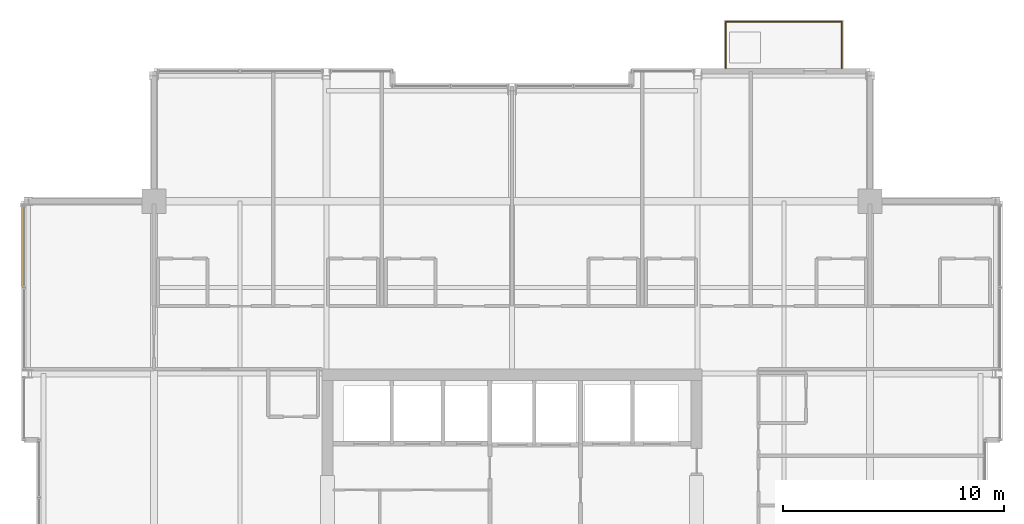
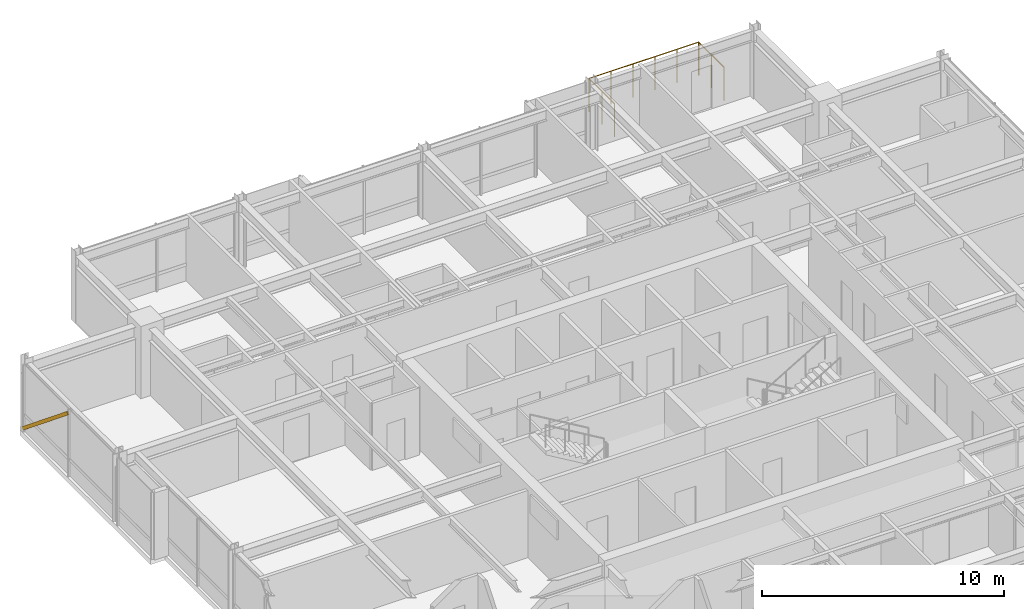
# One storey, part 33 of 33: 1 railing, 1 shading device.
"""IFC4 building model written with IfcOpenShell, lengths in metres."""

from ifc_helpers import new_model, si_unit, direction, frame, origin, origin_2d, place, context, subcontext, project, spatial, hollow_rectangle, circle, extrude, material, material_profile, profile_set, type_object, element, save


model = new_model("IFC4")

# Units and contexts
model_context = context("Model", 3, precision=1e-05, world=origin(), true_north=direction((0.0, 1.0)))
body_context = subcontext(model_context, "Body", "Model", "MODEL_VIEW")
ifc_project = project(units=[si_unit("LENGTHUNIT", "METRE"), si_unit("AREAUNIT", "SQUARE_METRE"), si_unit("VOLUMEUNIT", "CUBIC_METRE"), si_unit("PLANEANGLEUNIT", "RADIAN"), si_unit("MASSUNIT", "GRAM", prefix="KILO")], contexts=[model_context])

# Site, building, storey
site_placement = place(None, origin())
site = spatial("IfcSite", under=ifc_project, at=site_placement, CompositionType="ELEMENT")
building_placement = place(site_placement, origin())
building = spatial("IfcBuilding", under=site, at=building_placement, Name="Drelvath Grand Hotel", CompositionType="ELEMENT")
storey_placement = place(building_placement, frame((0.0, 0.0, 268.64990234375)))
storey = spatial("IfcBuildingStorey", under=building, at=storey_placement, Name="L70", CompositionType="ELEMENT", Elevation=268.64990234375)

# Shading device
ifc_material_1 = material(Name="Platinum-Mist Anodised Aluminium", Category="aluminium")
ifc_material_profile = material_profile(ifc_material_1, hollow_rectangle(XDim=0.06494140625, YDim=0.159912109375, WallThickness=0.00390625, at=origin_2d()), Name="HSS160X65X4")
ifc_profile_set = profile_set([ifc_material_profile], Name="Platinum-Mist Anodised Aluminium")
shading_device_type = type_object("IfcShadingDeviceType", Name="Diagonal Solar Fin Platinum Anodised HSS160X65X4", PredefinedType="USERDEFINED", material=ifc_profile_set)
shading_device_placement = place(storey_placement, frame((-22.159912109375, 43.021728515625, 0.18017578125), z_axis=(0.0, -0.77548496255, 0.631366037143), x_axis=(1.0, 0.0, 0.0)))
element("IfcShadingDevice", 1, at=shading_device_placement, inside=storey, type_object=shading_device_type, Name="L70 Diagonal Anodised Fin CW05-L70-WN2", ObjectType="FIN", PredefinedType="USERDEFINED", context=body_context, shape_type="SweptSolid", body=[
    extrude(hollow_rectangle(XDim=0.06494140625, YDim=0.159912109375, WallThickness=0.00390625, at=origin_2d()), origin(), (0.0, 0.0, 1.0), 4.799072265625),
])

# Railing
ifc_material_2 = material(Name="Anodised Aluminium and Laminated Glass Balustrade", Category="aluminium")
railing_type = type_object("IfcRailingType", Name="Raised Planter Edge Balustrade 1700", PredefinedType="BALUSTRADE", material=ifc_material_2)
railing_placement = place(storey_placement, frame((9.679931640625, 49.219970703125, 0.0)))
element("IfcRailing", 2, at=railing_placement, inside=storey, type_object=railing_type, Name="L70 Tree Balcony Perimeter Balustrade 1", PredefinedType="BALUSTRADE", context=body_context, shape_type="SweptSolid", body=[
    extrude(circle(Radius=0.02392578125, at=origin_2d()), frame((0.0, 0.0, 1.67578125), z_axis=(0.0, 1.0, 0.0), x_axis=(-1.0, 0.0, 0.0)), (0.0, 0.0, 1.0), 2.10009765625),
    extrude(circle(Radius=0.02392578125, at=origin_2d()), frame((0.0, 2.10009765625, 1.67578125), z_axis=(1.0, 0.0, 0.0), x_axis=(0.0, 1.0, 0.0)), (0.0, 0.0, 1.0), 5.239990234375),
    extrude(circle(Radius=0.02392578125, at=origin_2d()), frame((5.239990234375, 2.10009765625, 1.67578125), z_axis=(0.0, -1.0, 0.0), x_axis=(1.0, 0.0, 0.0)), (0.0, 0.0, 1.0), 2.10009765625),
    extrude(circle(Radius=0.02099609375, at=origin_2d()), origin(), (0.0, 0.0, 1.0), 1.65185546875),
    extrude(circle(Radius=0.02099609375, at=origin_2d()), frame((0.0, 1.050048828125, 0.0)), (0.0, 0.0, 1.0), 1.65185546875),
    extrude(circle(Radius=0.02099609375, at=origin_2d()), frame((0.0, 2.10009765625, 0.0)), (0.0, 0.0, 1.0), 1.65185546875),
    extrude(circle(Radius=0.02099609375, at=origin_2d()), frame((1.048095703125, 2.10009765625, 0.0)), (0.0, 0.0, 1.0), 1.65185546875),
    extrude(circle(Radius=0.02099609375, at=origin_2d()), frame((2.095947265625, 2.10009765625, 0.0)), (0.0, 0.0, 1.0), 1.65185546875),
    extrude(circle(Radius=0.02099609375, at=origin_2d()), frame((3.14404296875, 2.10009765625, 0.0)), (0.0, 0.0, 1.0), 1.65185546875),
    extrude(circle(Radius=0.02099609375, at=origin_2d()), frame((4.19189453125, 2.10009765625, 0.0)), (0.0, 0.0, 1.0), 1.65185546875),
    extrude(circle(Radius=0.02099609375, at=origin_2d()), frame((5.239990234375, 2.10009765625, 0.0)), (0.0, 0.0, 1.0), 1.65185546875),
    extrude(circle(Radius=0.02099609375, at=origin_2d()), frame((5.239990234375, 1.050048828125, 0.0)), (0.0, 0.0, 1.0), 1.65185546875),
    extrude(circle(Radius=0.02099609375, at=origin_2d()), frame((5.239990234375, 0.0, 0.0)), (0.0, 0.0, 1.0), 1.65185546875),
])

save(model, "model.ifc")
